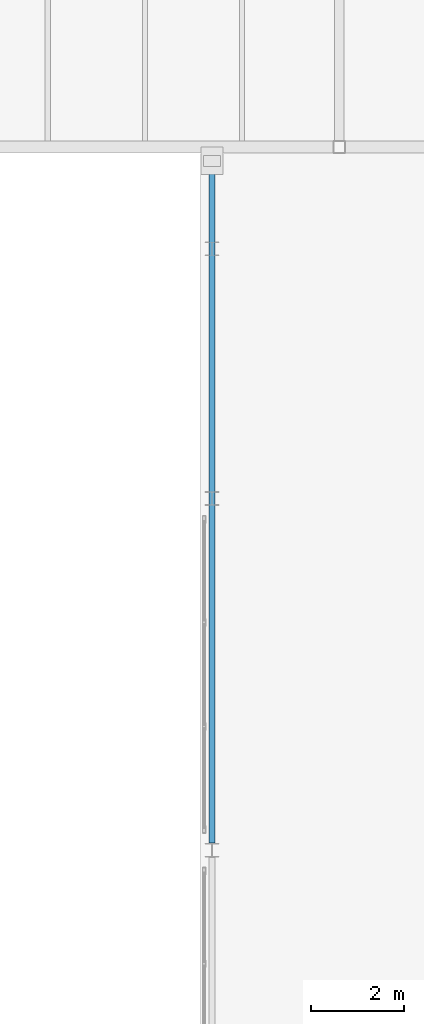
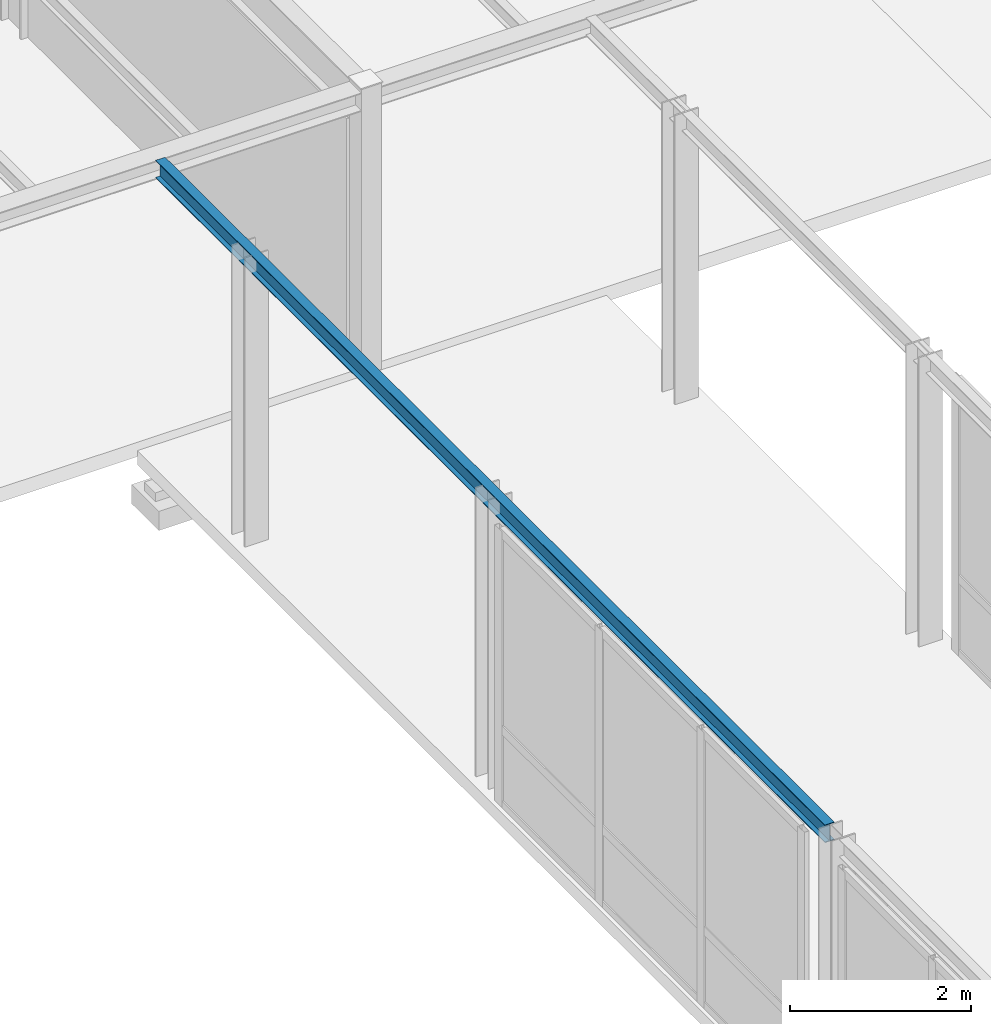
# One storey, part 88 of 189: 1 beam.
"""IFC4 building model written with IfcOpenShell, lengths in metres."""

import ifcopenshell
import ifcopenshell.guid

model = None  # the IFC model being written
_history = None  # IfcOwnerHistory: only IFC2X3 demands one
_inside = {}  # id of a spatial element -> (the spatial element, [elements in it])
_under = {}  # id of a project, library or spatial element -> (it, [spatial elements below it])
_declared = {}  # id of a project -> (the project, [libraries it declares])
_typed = {}  # id of a type object -> (the type object, [elements of that type])
_made_of = {}  # id of a material, layer set ... -> (it, [elements and type objects made of it])


def new_model(schema):
    """Start an empty IFC model of exactly this schema.

    Asked for "IFC4X3", IfcOpenShell would pick the latest addendum, in which some entities
    have other attributes; the version numbers below select the first issue.
    IFC2X3 requires an IfcOwnerHistory on every rooted entity: one is made here for all.
    """
    global model, _history
    if schema == "IFC4X3":
        model = ifcopenshell.file(schema_version=(4, 3, 0, 0))
    else:
        model = ifcopenshell.file(schema=schema)
    _inside.clear()
    _under.clear()
    _declared.clear()
    _typed.clear()
    _made_of.clear()
    _history = None
    if model.schema == "IFC2X3":
        org = make("IfcOrganization", Name="unknown")
        user = make(
            "IfcPersonAndOrganization",
            ThePerson=make("IfcPerson", FamilyName="unknown"),
            TheOrganization=org,
        )
        app = make(
            "IfcApplication",
            ApplicationDeveloper=org,
            Version="unknown",
            ApplicationFullName="unknown",
            ApplicationIdentifier="unknown",
        )
        _history = make(
            "IfcOwnerHistory",
            OwningUser=user,
            OwningApplication=app,
            ChangeAction="ADDED",
            CreationDate=0,
        )
    return model


def make(cls, **values):
    """One entity of the class cls with the attributes given. An attribute that is None is left unset."""
    return model.create_entity(
        cls, **{name: value for name, value in values.items() if value is not None}
    )


def rooted(cls, **values):
    """An entity with a GlobalId (a new one), such as an element, a storey or a relation."""
    return make(cls, GlobalId=ifcopenshell.guid.new(), OwnerHistory=_history, **values)


def si_unit(unit_type, name, prefix=None):
    """IfcSIUnit, for example si_unit("LENGTHUNIT", "METRE", prefix="MILLI")."""
    return make("IfcSIUnit", UnitType=unit_type, Prefix=prefix, Name=name)


def assignment(units):
    """IfcUnitAssignment: the units of a project."""
    return None if units is None else make("IfcUnitAssignment", Units=units)


def point(xyz):
    """IfcCartesianPoint."""
    return None if xyz is None else make("IfcCartesianPoint", Coordinates=xyz)


def direction(xyz):
    """IfcDirection."""
    return None if xyz is None else make("IfcDirection", DirectionRatios=xyz)


def frame(location, z_axis=None, x_axis=None):
    """IfcAxis2Placement3D, a coordinate frame: its origin and axes. An axis left out is left unset."""
    return make(
        "IfcAxis2Placement3D",
        Location=point(location),
        Axis=direction(z_axis),
        RefDirection=direction(x_axis),
    )


def frame_2d(location, x_axis=None):
    """IfcAxis2Placement2D, a coordinate frame in the plane: its origin and x axis."""
    return make(
        "IfcAxis2Placement2D", Location=point(location), RefDirection=direction(x_axis)
    )


def origin():
    """The frame at (0, 0, 0) with its axes left unset."""
    return frame((0.0, 0.0, 0.0))


def origin_2d():
    """The frame at (0, 0) in the plane with its x axis left unset."""
    return frame_2d((0.0, 0.0))


def place(relative_to, where):
    """IfcLocalPlacement: puts the frame where relative to a parent placement (None: the world)."""
    return make(
        "IfcLocalPlacement", PlacementRelTo=relative_to, RelativePlacement=where
    )


def context(
    kind, dimensions, precision=None, world=None, true_north=None, identifier=None
):
    """IfcGeometricRepresentationContext, for example the 3D "Model" context."""
    return make(
        "IfcGeometricRepresentationContext",
        ContextIdentifier=identifier,
        ContextType=kind,
        CoordinateSpaceDimension=dimensions,
        Precision=precision,
        WorldCoordinateSystem=world,
        TrueNorth=true_north,
    )


def subcontext(parent, identifier, kind, view, scale=None):
    """IfcGeometricRepresentationSubContext, for example "Body" below "Model"."""
    return make(
        "IfcGeometricRepresentationSubContext",
        ContextIdentifier=identifier,
        ContextType=kind,
        ParentContext=parent,
        TargetScale=scale,
        TargetView=view,
    )


def project(units=None, contexts=None):
    """IfcProject with its units and contexts."""
    return rooted(
        "IfcProject",
        Name="project",
        RepresentationContexts=contexts,
        UnitsInContext=assignment(units),
    )


def spatial(cls, under=None, at=None, **own):
    """A site, building, storey or space (cls), placed at a placement, below another one or the project."""
    s = rooted(cls, ObjectPlacement=at, **own)
    if under is not None:
        _under.setdefault(under.id(), (under, []))[1].append(s)
    return s


def profile(cls, at=None, kind="AREA", **sizes):
    """A parametric profile (cls). Its sizes go by their IFC names, for example OverallWidth=200.0."""
    return make(cls, ProfileType=kind, Position=at, **sizes)


def i_section(**sizes):
    """IfcIShapeProfileDef."""
    return profile("IfcIShapeProfileDef", **sizes)


def extrude(swept, where, along, depth):
    """IfcExtrudedAreaSolid: the profile swept, set in the frame where, extruded along a direction by depth."""
    return make(
        "IfcExtrudedAreaSolid",
        SweptArea=swept,
        Position=where,
        ExtrudedDirection=direction(along),
        Depth=depth,
    )


def shape(context_of_items, identifier, shape_type, items):
    """IfcShapeRepresentation: the items that make up one representation, for example the "Body"."""
    return make(
        "IfcShapeRepresentation",
        ContextOfItems=context_of_items,
        RepresentationIdentifier=identifier,
        RepresentationType=shape_type,
        Items=items,
    )


def material(Name=None, Category=None):
    """IfcMaterial."""
    return make("IfcMaterial", Name=Name, Category=Category)


def material_profile(
    of_material, cross_section, Name=None, Category=None, Priority=None
):
    """IfcMaterialProfile: a cross section and its material."""
    return make(
        "IfcMaterialProfile",
        Name=Name,
        Material=of_material,
        Profile=cross_section,
        Priority=Priority,
        Category=Category,
    )


def profile_set(profiles, Name=None, composite=None):
    """IfcMaterialProfileSet."""
    return make(
        "IfcMaterialProfileSet",
        Name=Name,
        MaterialProfiles=profiles,
        CompositeProfile=composite,
    )


def made_of(thing, what):
    """Note that an element or type object is made of a material, layer set ...; save() writes the relation."""
    if what is not None:
        _made_of.setdefault(what.id(), (what, []))[1].append(thing)
    return thing


def type_object(cls, material=None, **own):
    """A type object (cls), such as IfcWallType, which elements share."""
    return made_of(rooted(cls, **own), material)


def element(
    cls,
    number,
    at=None,
    inside=None,
    cuts=None,
    type_object=None,
    material=None,
    context=None,
    identifier="Body",
    shape_type=None,
    held_by="IfcProductDefinitionShape",
    body=None,
    shapes=None,
    **own,
):
    """One element of the class cls, such as IfcWall. Its Tag is "e" and its number.

    at: its placement. inside: the storey or other place that contains it. cuts: it is an
    opening in that element (IfcRelVoidsElement). A single representation is given by context,
    identifier, shape_type and body (its items); several are given by shapes. held_by: the class
    of the entity that holds the representations. save() writes the other relations.
    """
    e = rooted(cls, Tag="e%d" % number, ObjectPlacement=at, **own)
    if body is not None:
        shapes = [shape(context, identifier, shape_type, body)]
    if shapes is not None:
        e.Representation = make(held_by, Representations=shapes)
    if inside is not None:
        _inside.setdefault(inside.id(), (inside, []))[1].append(e)
    if cuts is not None:
        rooted(
            "IfcRelVoidsElement", RelatingBuildingElement=cuts, RelatedOpeningElement=e
        )
    if type_object is not None:
        _typed.setdefault(type_object.id(), (type_object, []))[1].append(e)
    return made_of(e, material)


def aggregate(whole, parts):
    """IfcRelAggregates: a whole, such as a stair, and the parts it consists of."""
    return rooted("IfcRelAggregates", RelatingObject=whole, RelatedObjects=parts)


def save(model, path):
    """Write the relations noted so far, then the file.

    IfcRelAggregates (storeys below a building ...), IfcRelContainedInSpatialStructure (elements
    in a storey), IfcRelDefinesByType, IfcRelAssociatesMaterial and IfcRelDeclares: one each for
    every whole, place, type object, material and project.
    """
    for whole, parts in _under.values():
        aggregate(whole, parts)
    for where, things in _inside.values():
        rooted(
            "IfcRelContainedInSpatialStructure",
            RelatedElements=things,
            RelatingStructure=where,
        )
    for kind, things in _typed.values():
        rooted("IfcRelDefinesByType", RelatedObjects=things, RelatingType=kind)
    for what, things in _made_of.values():
        rooted("IfcRelAssociatesMaterial", RelatedObjects=things, RelatingMaterial=what)
    for by, libraries in _declared.values():
        rooted("IfcRelDeclares", RelatingContext=by, RelatedDefinitions=libraries)
    model.write(path)


model = new_model("IFC4")

# Units and contexts
model_context = context("Model", 3, precision=1e-05, world=origin(), true_north=direction((0.0, 1.0)))
body_context = subcontext(model_context, "Body", "Model", "MODEL_VIEW")
ifc_project = project(units=[si_unit("LENGTHUNIT", "METRE"), si_unit("AREAUNIT", "SQUARE_METRE"), si_unit("VOLUMEUNIT", "CUBIC_METRE"), si_unit("PLANEANGLEUNIT", "RADIAN"), si_unit("MASSUNIT", "GRAM", prefix="KILO")], contexts=[model_context])

# Site, building, storey
site_placement = place(None, origin())
site = spatial("IfcSite", under=ifc_project, at=site_placement, CompositionType="ELEMENT")
building_placement = place(site_placement, origin())
building = spatial("IfcBuilding", under=site, at=building_placement, Name="Montecoro Central Library", CompositionType="ELEMENT")
storey_placement = place(building_placement, frame((0.0, 0.0, 9.179931640625)))
storey = spatial("IfcBuildingStorey", under=building, at=storey_placement, Name="L02", CompositionType="ELEMENT", Elevation=9.179931640625)

# Beam
ifc_material = material(Name="Steel S355", Category="steel")
ifc_material_profile = material_profile(ifc_material, i_section(OverallWidth=0.1201171875, OverallDepth=0.239990234375, WebThickness=0.006103515625, FlangeThickness=0.009765625, at=origin_2d()), Name="IPE 240")
ifc_profile_set = profile_set([ifc_material_profile], Name="Steel S355")
beam_type = type_object("IfcBeamType", Name="BM-SP-IPE240", PredefinedType="SPANDREL", material=ifc_profile_set)
beam_placement = place(storey_placement, frame((88.85009765625, 65.9599609375, 3.7880859375), z_axis=(0.0, 1.0, 0.0), x_axis=(-1.0, 0.0, 0.0)))
element("IfcBeam", 1, at=beam_placement, inside=storey, type_object=beam_type, Name="BR-N-ROOF-BM-W2", PredefinedType="SPANDREL", context=body_context, shape_type="SweptSolid", body=[
    extrude(i_section(OverallWidth=0.1201171875, OverallDepth=0.239990234375, WebThickness=0.006103515625, FlangeThickness=0.009765625, at=origin_2d()), origin(), (0.0, 0.0, 1.0), 14.820068359375),
])

save(model, "model.ifc")
